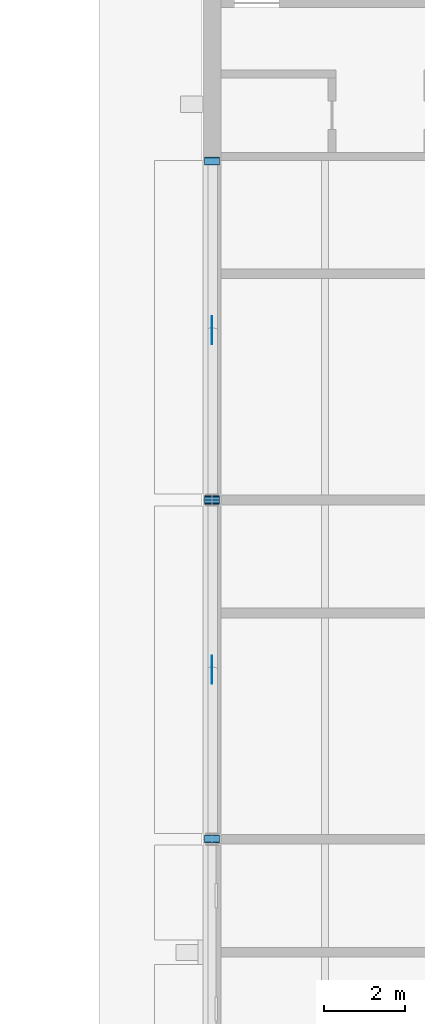
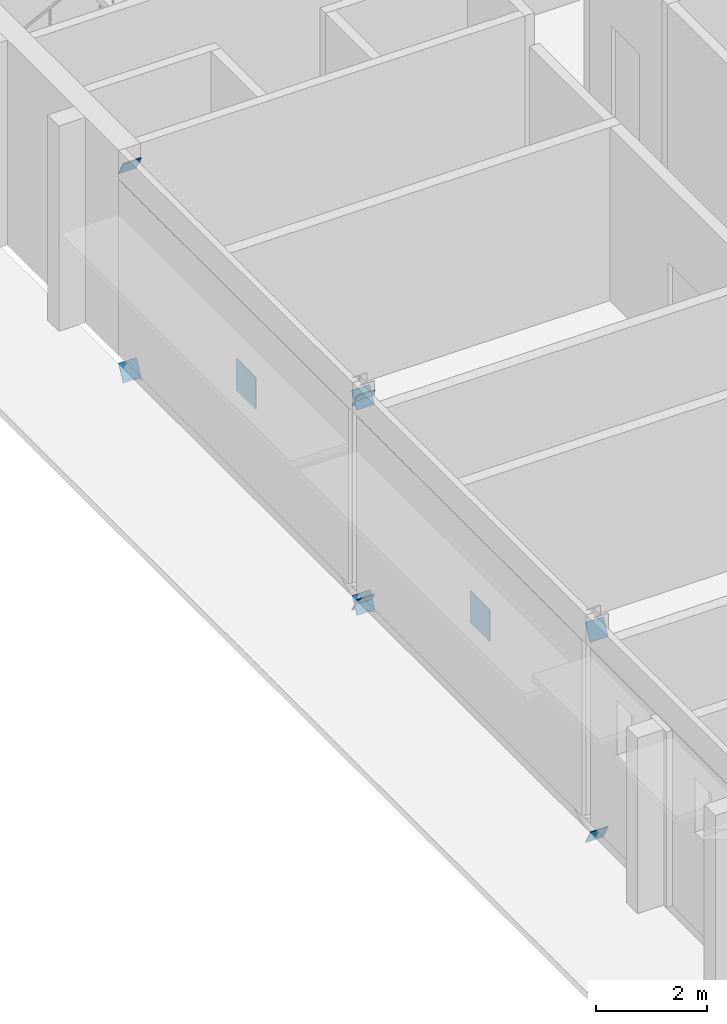
# One storey, part 102 of 116: 10 discrete accessories.
"""IFC4 building model written with IfcOpenShell, lengths in metres."""

from ifc_helpers import new_model, si_unit, direction, frame, origin, origin_2d, place, context, subcontext, project, spatial, rectangle, extrude, material, material_profile, profile_set, type_object, element, save


model = new_model("IFC4")

# Units and contexts
model_context = context("Model", 3, precision=1e-05, world=origin(), true_north=direction((0.0, 1.0)))
body_context = subcontext(model_context, "Body", "Model", "MODEL_VIEW")
ifc_project = project(units=[si_unit("LENGTHUNIT", "METRE"), si_unit("AREAUNIT", "SQUARE_METRE"), si_unit("VOLUMEUNIT", "CUBIC_METRE"), si_unit("PLANEANGLEUNIT", "RADIAN"), si_unit("MASSUNIT", "GRAM", prefix="KILO")], contexts=[model_context])

# Site, building, storey
site_placement = place(None, origin())
site = spatial("IfcSite", under=ifc_project, at=site_placement, CompositionType="ELEMENT")
building_placement = place(site_placement, origin())
building = spatial("IfcBuilding", under=site, at=building_placement, Name="Ardhachandra Cancer Care Centre", CompositionType="ELEMENT")
storey_placement = place(building_placement, origin())
storey = spatial("IfcBuildingStorey", under=building, at=storey_placement, Name="L00", CompositionType="ELEMENT", Elevation=0.0)

# Discrete accessories
ifc_material_1 = material(Name="Steel E250 (IS 2062)", Category="steel")
ifc_material_profile_1 = material_profile(ifc_material_1, rectangle(XDim=0.373046875, YDim=0.373046875, at=origin_2d()), Name="PL 373x373x20")
ifc_profile_set_1 = profile_set([ifc_material_profile_1], Name="Steel E250 (IS 2062)")
discrete_accessory_type_1 = type_object("IfcDiscreteAccessoryType", Name="Brace end plate 373 x 373 x 20", PredefinedType="BRACKET", material=ifc_profile_set_1)
discrete_accessory_1_placement = place(storey_placement, frame((10.800048828125, 46.199951171875, -0.39990234375), z_axis=(0.0, 0.884384752847, 0.466758619558), x_axis=(-1.0, 0.0, 0.0)))
element("IfcDiscreteAccessory", 1, at=discrete_accessory_1_placement, inside=storey, type_object=discrete_accessory_type_1, Name="Brace end plate V2-Y108-462 L00 A0", PredefinedType="BRACKET", context=body_context, shape_type="SweptSolid", body=[
    extrude(rectangle(XDim=0.373046875, YDim=0.373046875, at=origin_2d()), origin(), (0.0, 0.0, 1.0), 0.019775390625),
])
discrete_accessory_2_placement = place(storey_placement, frame((10.800048828125, 54.60009765625, 4.10009765625), z_axis=(0.0, -0.882018256262, -0.471215232798), x_axis=(1.0, 0.0, 0.0)))
element("IfcDiscreteAccessory", 2, at=discrete_accessory_2_placement, inside=storey, type_object=discrete_accessory_type_1, Name="Brace end plate V2-Y108-462 L00 A1", PredefinedType="BRACKET", context=body_context, shape_type="SweptSolid", body=[
    extrude(rectangle(XDim=0.373046875, YDim=0.373046875, at=origin_2d()), origin(), (0.0, 0.0, 1.0), 0.020263671875),
])
for number, where, z_axis, x_axis, name in (
    (3, (10.800048828125, 54.60009765625, -0.39990234375), (0.0, -0.887017774073, 0.461735279655), (1.0, 0.0, 0.0), "Brace end plate V2-Y108-462 L00 B10"),
    (4, (10.800048828125, 46.199951171875, 4.10009765625), (0.0, 0.879291966537, -0.476283148541), (-1.0, 0.0, 0.0), "Brace end plate V2-Y108-462 L00 B21"),
):
    element("IfcDiscreteAccessory", number, at=place(storey_placement, frame(where, z_axis=z_axis, x_axis=x_axis)), inside=storey, type_object=discrete_accessory_type_1, Name=name, PredefinedType="BRACKET", context=body_context, shape_type="SweptSolid", body=[
        extrude(rectangle(XDim=0.373046875, YDim=0.373046875, at=origin_2d()), origin(), (0.0, 0.0, 1.0), 0.02001953125),
    ])
discrete_accessory_3_placement = place(storey_placement, frame((10.800048828125, 54.60009765625, -0.39990234375), z_axis=(0.0, 0.884384752847, 0.466758619558), x_axis=(-1.0, 0.0, 0.0)))
element("IfcDiscreteAccessory", 5, at=discrete_accessory_3_placement, inside=storey, type_object=discrete_accessory_type_1, Name="Brace end plate V2-Y108-546 L00 A0", PredefinedType="BRACKET", context=body_context, shape_type="SweptSolid", body=[
    extrude(rectangle(XDim=0.373046875, YDim=0.373046875, at=origin_2d()), origin(), (0.0, 0.0, 1.0), 0.019775390625),
])
discrete_accessory_4_placement = place(storey_placement, frame((10.800048828125, 63.0, 4.10009765625), z_axis=(0.0, -0.879291966537, -0.476283148541), x_axis=(1.0, 0.0, 0.0)))
element("IfcDiscreteAccessory", 6, at=discrete_accessory_4_placement, inside=storey, type_object=discrete_accessory_type_1, Name="Brace end plate V2-Y108-546 L00 A1", PredefinedType="BRACKET", context=body_context, shape_type="SweptSolid", body=[
    extrude(rectangle(XDim=0.373046875, YDim=0.373046875, at=origin_2d()), origin(), (0.0, 0.0, 1.0), 0.02001953125),
])
discrete_accessory_5_placement = place(storey_placement, frame((10.800048828125, 63.0, -0.39990234375), z_axis=(0.0, -0.884384752847, 0.466758619558), x_axis=(1.0, 0.0, 0.0)))
element("IfcDiscreteAccessory", 7, at=discrete_accessory_5_placement, inside=storey, type_object=discrete_accessory_type_1, Name="Brace end plate V2-Y108-546 L00 B10", PredefinedType="BRACKET", context=body_context, shape_type="SweptSolid", body=[
    extrude(rectangle(XDim=0.373046875, YDim=0.373046875, at=origin_2d()), origin(), (0.0, 0.0, 1.0), 0.019775390625),
])
discrete_accessory_6_placement = place(storey_placement, frame((10.800048828125, 54.60009765625, 4.10009765625), z_axis=(0.0, 0.879291966537, -0.476283148541), x_axis=(-1.0, 0.0, 0.0)))
element("IfcDiscreteAccessory", 8, at=discrete_accessory_6_placement, inside=storey, type_object=discrete_accessory_type_1, Name="Brace end plate V2-Y108-546 L00 B21", PredefinedType="BRACKET", context=body_context, shape_type="SweptSolid", body=[
    extrude(rectangle(XDim=0.373046875, YDim=0.373046875, at=origin_2d()), origin(), (0.0, 0.0, 1.0), 0.02001953125),
])
ifc_material_2 = material(Name="Steel E250 (IS 2062)", Category="steel")
ifc_material_profile_2 = material_profile(ifc_material_2, rectangle(XDim=0.699951171875, YDim=0.699951171875, at=origin_2d()), Name="PL 700x700x20")
ifc_profile_set_2 = profile_set([ifc_material_profile_2], Name="Steel E250 (IS 2062)")
discrete_accessory_type_2 = type_object("IfcDiscreteAccessoryType", Name="Brace node plate 700 x 700 x 20", PredefinedType="BRACKET", material=ifc_profile_set_2)
for number, where, z_axis, x_axis, name in (
    (9, (10.7900390625, 50.39990234375, 1.85009765625), (1.0, 0.0, 0.0), (0.0, 1.0, 0.0), "Brace node plate V2-Y108-462 L00"),
    (10, (10.7900390625, 58.800048828125, 1.85009765625), (1.0, 0.0, 0.0), (0.0, 1.0, 0.0), "Brace node plate V2-Y108-546 L00"),
):
    element("IfcDiscreteAccessory", number, at=place(storey_placement, frame(where, z_axis=z_axis, x_axis=x_axis)), inside=storey, type_object=discrete_accessory_type_2, Name=name, PredefinedType="BRACKET", context=body_context, shape_type="SweptSolid", body=[
        extrude(rectangle(XDim=0.699951171875, YDim=0.699951171875, at=origin_2d()), origin(), (0.0, 0.0, 1.0), 0.02001953125),
    ])

save(model, "model.ifc")
